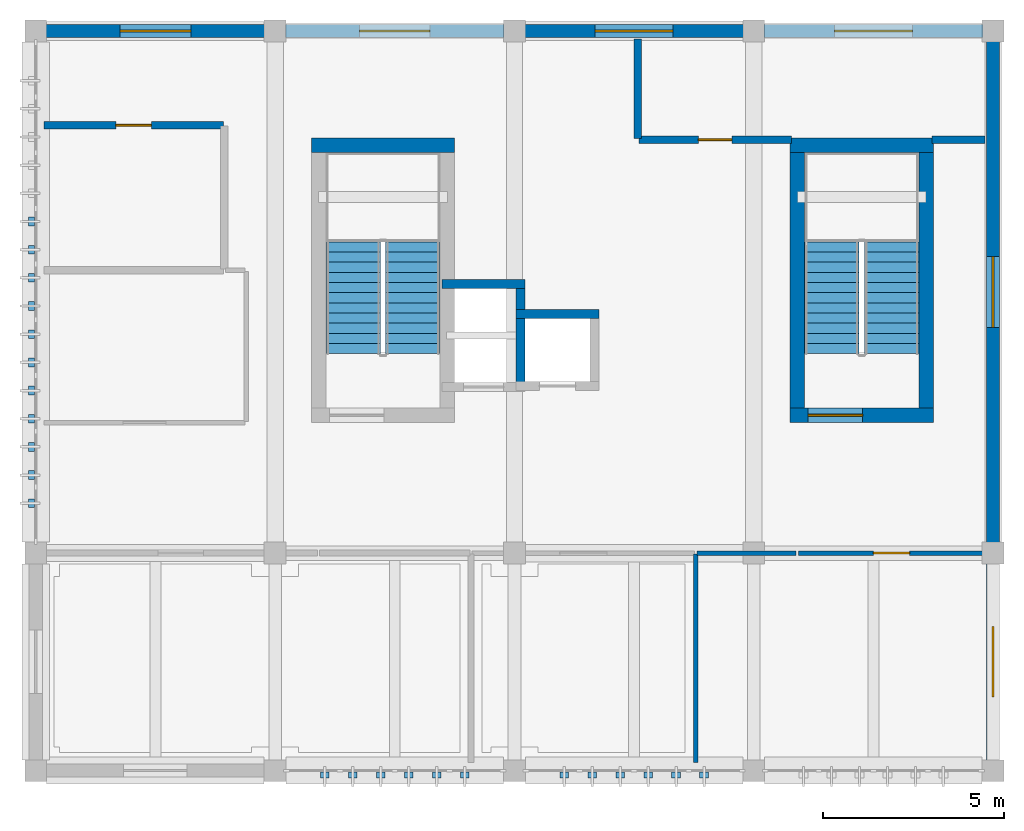
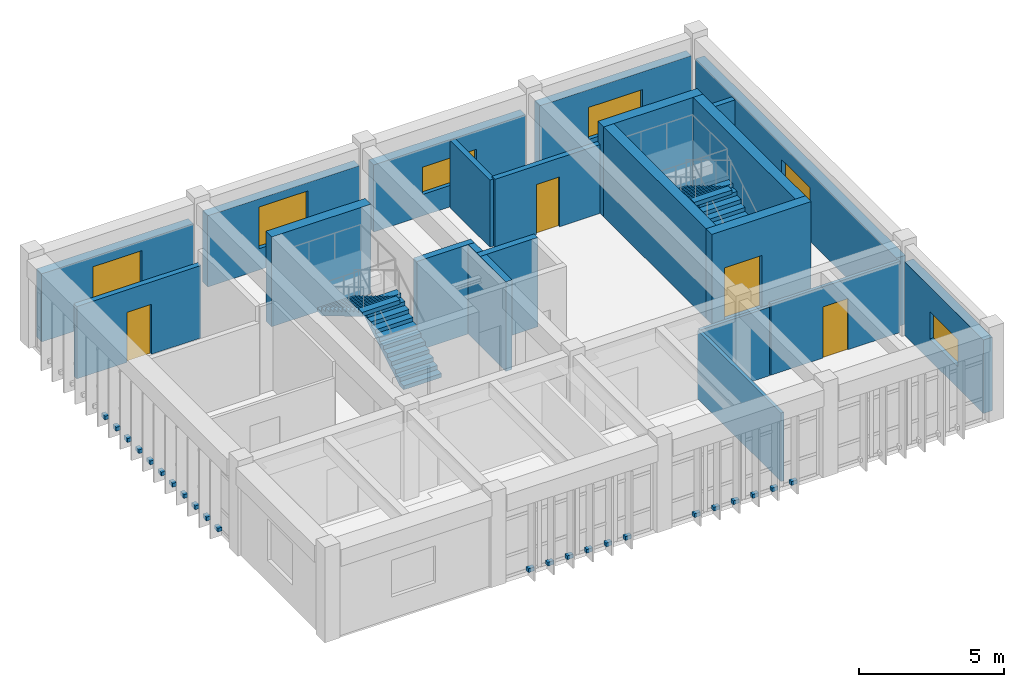
# One storey, part 5 of 7: 23 discrete accessories, 21 walls, 6 windows, 4 doors, 4 stair flights, 10 openings, 2 elements without a shape of their own.
"""IFC4 building model written with IfcOpenShell, lengths in metres."""

from ifc_helpers import new_model, si_unit, direction, frame, frame_2d, origin, origin_2d, place, context, subcontext, project, spatial, polyline, rectangle, outline, extrude, material, layer, layer_set, type_object, element, fill, aggregate, save


model = new_model("IFC4")

# Units and contexts
model_context = context("Model", 3, precision=1e-05, world=origin(), true_north=direction((0.0, 1.0)))
body_context = subcontext(model_context, "Body", "Model", "MODEL_VIEW")
ifc_project = project(units=[si_unit("LENGTHUNIT", "METRE"), si_unit("AREAUNIT", "SQUARE_METRE"), si_unit("VOLUMEUNIT", "CUBIC_METRE"), si_unit("PLANEANGLEUNIT", "RADIAN"), si_unit("MASSUNIT", "GRAM", prefix="KILO")], contexts=[model_context])

# Site, building, storey
site_placement = place(None, origin())
site = spatial("IfcSite", under=ifc_project, at=site_placement, CompositionType="ELEMENT")
building_placement = place(site_placement, origin())
building = spatial("IfcBuilding", under=site, at=building_placement, Name="Miralva Faculty of Natural Sciences", CompositionType="ELEMENT")
storey_placement = place(building_placement, frame((0.0, 0.0, 40.60009765625)))
storey = spatial("IfcBuildingStorey", under=building, at=storey_placement, Name="L09", CompositionType="ELEMENT", Elevation=40.60009765625)

# Wall
ifc_material_1 = material(Name="Concrete C50/60", Category="concrete")
ifc_layer_1 = layer(ifc_material_1, 0.39990234375, Name="WL-CW01")
ifc_layer_set_1 = layer_set([ifc_layer_1], Name="Concrete C50/60")
wall_type_1 = type_object("IfcWallType", Name="WL-CW01", PredefinedType="SHEAR", material=ifc_layer_set_1)
wall_1_placement = place(storey_placement, frame((10.60009765625, 20.25, 0.0), z_axis=(0.0, 0.0, 1.0), x_axis=(1.0, 0.0, 0.0)))
element("IfcWall", 1, at=wall_1_placement, inside=storey, type_object=wall_type_1, Name="Core C1 shear wall north L09", PredefinedType="SHEAR", context=body_context, shape_type="SweptSolid", body=[
    extrude(rectangle(XDim=3.949951171875, YDim=0.39990234375, at=frame_2d((1.97509765625, 0.0))), origin(), (0.0, 0.0, 1.0), 3.77978515625),
])

# Wall, opening, door
wall_2_placement = place(storey_placement, frame((23.800048828125, 12.800048828125, 0.0), z_axis=(0.0, 0.0, 1.0), x_axis=(1.0, 0.0, 0.0)))
wall_2 = element("IfcWall", 2, at=wall_2_placement, inside=storey, type_object=wall_type_1, Name="Core C1B shear wall south L09", PredefinedType="SHEAR", context=body_context, shape_type="SweptSolid", body=[
    extrude(rectangle(XDim=3.949951171875, YDim=0.39990234375, at=frame_2d((1.97509765625, 0.0))), origin(), (0.0, 0.0, 1.0), 3.77978515625),
])
opening_1_placement = place(wall_2_placement, frame((0.5, 0.0, 0.0)))
opening_1 = element("IfcOpeningElement", 3, at=opening_1_placement, cuts=wall_2, Name="Opening D-11", PredefinedType="OPENING", context=body_context, shape_type="SweptSolid", body=[
    extrude(rectangle(XDim=1.5, YDim=2.199951171875, at=frame_2d((0.75, 1.10009765625))), frame((0.0, 0.2099609375, 0.0), z_axis=(0.0, -1.0, 0.0), x_axis=(1.0, 0.0, 0.0)), (0.0, 0.0, 1.0), 0.419921875),
])
ifc_material_2 = material(Name="Galvanised steel", Category="steel")
door_type_1 = type_object("IfcDoorType", Name="DR-DI11", OperationType="DOUBLE_DOOR_SINGLE_SWING", PredefinedType="DOOR", material=ifc_material_2)
door_1_placement = place(opening_1_placement, frame((1.5, 0.0, 0.0), z_axis=(0.0, 0.0, 1.0), x_axis=(-1.0, 0.0, 0.0)))
door_1 = element("IfcDoor", 4, at=door_1_placement, inside=storey, type_object=door_type_1, Name="Protected exit stair door Core C1B L09", OperationType="DOUBLE_DOOR_SINGLE_SWING", OverallHeight=2.199951171875, OverallWidth=1.5, PredefinedType="DOOR", context=body_context, shape_type="SweptSolid", body=[
    extrude(rectangle(XDim=1.5, YDim=2.199951171875, at=frame_2d((0.75, 1.10009765625))), frame((0.0, 0.02490234375, 0.0), z_axis=(0.0, -1.0, 0.0), x_axis=(1.0, 0.0, 0.0)), (0.0, 0.0, 1.0), 0.050048828125),
])
fill(opening_1, door_1)

# Walls
wall_3_placement = place(storey_placement, frame((23.800048828125, 20.25, 0.0), z_axis=(0.0, 0.0, 1.0), x_axis=(1.0, 0.0, 0.0)))
element("IfcWall", 5, at=wall_3_placement, inside=storey, type_object=wall_type_1, Name="Core C1B shear wall north L09", PredefinedType="SHEAR", context=body_context, shape_type="SweptSolid", body=[
    extrude(rectangle(XDim=3.949951171875, YDim=0.39990234375, at=frame_2d((1.97509765625, 0.0))), origin(), (0.0, 0.0, 1.0), 3.77978515625),
])
for number, where, z_axis, x_axis, name in (
    (6, (24.0, 13.0, 0.0), (0.0, 0.0, 1.0), (0.0, 1.0, 0.0), "Core C1B shear wall west L09"),
    (7, (27.550048828125, 13.0, 0.0), (0.0, 0.0, 1.0), (0.0, 1.0, 0.0), "Core C1B shear wall east L09"),
):
    element("IfcWall", number, at=place(storey_placement, frame(where, z_axis=z_axis, x_axis=x_axis)), inside=storey, type_object=wall_type_1, Name=name, PredefinedType="SHEAR", context=body_context, shape_type="SweptSolid", body=[
        extrude(rectangle(XDim=7.050048828125, YDim=0.39990234375, at=frame_2d((3.52490234375, 0.0))), origin(), (0.0, 0.0, 1.0), 3.77978515625),
    ])
ifc_material_3 = material(Name="Concrete C40/50", Category="concrete")
ifc_layer_2 = layer(ifc_material_3, 0.25, Name="WL-CW04")
ifc_layer_set_2 = layer_set([ifc_layer_2], Name="Concrete C40/50")
wall_type_2 = type_object("IfcWallType", Name="WL-CW04", PredefinedType="SHEAR", material=ifc_layer_set_2)
wall_4_placement = place(storey_placement, frame((14.205078125, 16.419921875, 0.0), z_axis=(0.0, 0.0, 1.0), x_axis=(1.0, 0.0, 0.0)))
element("IfcWall", 8, at=wall_4_placement, inside=storey, type_object=wall_type_2, Name="Lift L-01 hoistway rear wall L09", PredefinedType="SHEAR", context=body_context, shape_type="SweptSolid", body=[
    extrude(rectangle(XDim=2.2900390625, YDim=0.25, at=frame_2d((1.14501953125, 0.0))), origin(), (0.0, 0.0, 1.0), 3.760009765625),
])
wall_5_placement = place(storey_placement, frame((16.3701171875, 13.705078125, 0.0), z_axis=(0.0, 0.0, 1.0), x_axis=(0.0, 1.0, 0.0)))
element("IfcWall", 9, at=wall_5_placement, inside=storey, type_object=wall_type_2, Name="Lift L-01 hoistway E wall L09", PredefinedType="SHEAR", context=body_context, shape_type="SweptSolid", body=[
    extrude(rectangle(XDim=2.58984375, YDim=0.25, at=frame_2d((1.294921875, 0.0))), origin(), (0.0, 0.0, 1.0), 3.760009765625),
])
wall_6_placement = place(storey_placement, frame((16.2451171875, 15.594970703125, 0.0), z_axis=(0.0, 0.0, 1.0), x_axis=(1.0, 0.0, 0.0)))
element("IfcWall", 10, at=wall_6_placement, inside=storey, type_object=wall_type_2, Name="Lift L-02 hoistway rear wall L09", PredefinedType="SHEAR", context=body_context, shape_type="SweptSolid", body=[
    extrude(rectangle(XDim=2.289794921875, YDim=0.25, at=frame_2d((1.14501953125, 0.0))), origin(), (0.0, 0.0, 1.0), 3.760009765625),
])
ifc_material_4 = material(Name="Gypsum plasterboard")
ifc_layer_3 = layer(ifc_material_4, 0.125, Name="WL-PT05")
ifc_layer_set_3 = layer_set([ifc_layer_3], Name="Gypsum plasterboard")
wall_type_3 = type_object("IfcWallType", Name="WL-PT05", PredefinedType="PARTITIONING", material=ifc_layer_set_3)
wall_7_placement = place(storey_placement, frame((21.199951171875, 3.22998046875, 0.0), z_axis=(0.0, 0.0, 1.0), x_axis=(0.0, 1.0, 0.0)))
element("IfcWall", 11, at=wall_7_placement, inside=storey, type_object=wall_type_3, Name="Interior partition PT-05 L09-545", PredefinedType="PARTITIONING", context=body_context, shape_type="SweptSolid", body=[
    extrude(rectangle(XDim=5.739990234375, YDim=0.125, at=frame_2d((2.8701171875, 0.0))), origin(), (0.0, 0.0, 1.0), 2.885009765625),
])

# Wall, opening, door
wall_8_placement = place(storey_placement, frame((24.030029296875, 9.0, 0.0), z_axis=(0.0, 0.0, 1.0), x_axis=(1.0, 0.0, 0.0)))
wall_8 = element("IfcWall", 12, at=wall_8_placement, inside=storey, type_object=wall_type_3, Name="Interior partition PT-05 L09-547", PredefinedType="PARTITIONING", context=body_context, shape_type="SweptSolid", body=[
    extrude(rectangle(XDim=5.139892578125, YDim=0.125, at=frame_2d((2.56982421875, 0.0))), origin(), (0.0, 0.0, 1.0), 2.994873046875),
])
opening_2_placement = place(wall_8_placement, frame((2.070068359375, 0.0, 0.0)))
opening_2 = element("IfcOpeningElement", 13, at=opening_2_placement, cuts=wall_8, Name="Opening D-25", PredefinedType="OPENING", context=body_context, shape_type="SweptSolid", body=[
    extrude(rectangle(XDim=1.0, YDim=2.14990234375, at=frame_2d((0.5, 1.074951171875))), frame((0.0, 0.072509765625, 0.0), z_axis=(0.0, -1.0, 0.0), x_axis=(1.0, 0.0, 0.0)), (0.0, 0.0, 1.0), 0.14501953125),
])
ifc_material_5 = material(Name="Anodised aluminium", Category="aluminium")
door_type_2 = type_object("IfcDoorType", Name="DR-DI25", OperationType="NOTDEFINED", PredefinedType="DOOR", material=ifc_material_5)
door_2_placement = place(opening_2_placement, origin())
door_2 = element("IfcDoor", 14, at=door_2_placement, inside=storey, type_object=door_type_2, Name="Interior door D-25 L09-206", OperationType="SINGLE_SWING_RIGHT", OverallHeight=2.14990234375, OverallWidth=1.0, PredefinedType="DOOR", context=body_context, shape_type="SweptSolid", body=[
    extrude(rectangle(XDim=1.0, YDim=2.14990234375, at=frame_2d((0.5, 1.074951171875))), frame((0.0, 0.02490234375, 0.0), z_axis=(0.0, -1.0, 0.0), x_axis=(1.0, 0.0, 0.0)), (0.0, 0.0, 1.0), 0.050048828125),
])
fill(opening_2, door_2)

# Wall
wall_9_placement = place(storey_placement, frame((21.22998046875, 9.0, 0.0), z_axis=(0.0, 0.0, 1.0), x_axis=(1.0, 0.0, 0.0)))
element("IfcWall", 15, at=wall_9_placement, inside=storey, type_object=wall_type_3, Name="Interior partition PT-05 L09-548", PredefinedType="PARTITIONING", context=body_context, shape_type="SweptSolid", body=[
    extrude(rectangle(XDim=2.739990234375, YDim=0.125, at=frame_2d((1.3701171875, 0.0))), origin(), (0.0, 0.0, 1.0), 2.885009765625),
])

# Wall, opening, door
ifc_layer_4 = layer(ifc_material_4, 0.2099609375, Name="WL-PT06")
ifc_layer_set_4 = layer_set([ifc_layer_4], Name="Gypsum plasterboard")
wall_type_4 = type_object("IfcWallType", Name="WL-PT06", PredefinedType="PLUMBINGWALL", material=ifc_layer_set_4)
wall_10_placement = place(storey_placement, frame((3.22998046875, 20.800048828125, 0.0), z_axis=(0.0, 0.0, 1.0), x_axis=(1.0, 0.0, 0.0)))
wall_10 = element("IfcWall", 16, at=wall_10_placement, inside=storey, type_object=wall_type_4, Name="Interior partition PT-06 L09-553", PredefinedType="PLUMBINGWALL", context=body_context, shape_type="SweptSolid", body=[
    extrude(rectangle(XDim=4.93994140625, YDim=0.2099609375, at=frame_2d((2.469970703125, 0.0))), origin(), (0.0, 0.0, 1.0), 3.044921875),
])
opening_3_placement = place(wall_10_placement, frame((1.97998046875, 0.0, 0.0)))
opening_3 = element("IfcOpeningElement", 17, at=opening_3_placement, cuts=wall_10, Name="Opening D-26", PredefinedType="OPENING", context=body_context, shape_type="SweptSolid", body=[
    extrude(rectangle(XDim=0.97998046875, YDim=2.10009765625, at=frame_2d((0.489990234375, 1.050048828125))), frame((0.0, 0.114990234375, 0.0), z_axis=(0.0, -1.0, 0.0), x_axis=(1.0, 0.0, 0.0)), (0.0, 0.0, 1.0), 0.22998046875),
])
door_type_3 = type_object("IfcDoorType", Name="DR-DI26", OperationType="NOTDEFINED", PredefinedType="DOOR", material=ifc_material_5)
door_3_placement = place(opening_3_placement, origin())
door_3 = element("IfcDoor", 18, at=door_3_placement, inside=storey, type_object=door_type_3, Name="Interior door D-26 L09-209", OperationType="SINGLE_SWING_LEFT", OverallHeight=2.10009765625, OverallWidth=0.97998046875, PredefinedType="DOOR", context=body_context, shape_type="SweptSolid", body=[
    extrude(rectangle(XDim=0.97998046875, YDim=2.10009765625, at=frame_2d((0.489990234375, 1.050048828125))), frame((0.0, 0.02490234375, 0.0), z_axis=(0.0, -1.0, 0.0), x_axis=(1.0, 0.0, 0.0)), (0.0, 0.0, 1.0), 0.050048828125),
])
fill(opening_3, door_3)

# Walls
wall_11_placement = place(storey_placement, frame((27.7119140625, 20.39990234375, 0.0), z_axis=(0.0, 0.0, 1.0), x_axis=(1.0, 0.0, 0.0)))
element("IfcWall", 19, at=wall_11_placement, inside=storey, type_object=wall_type_4, Name="Interior partition PT-06 L09-555", PredefinedType="PLUMBINGWALL", context=body_context, shape_type="SweptSolid", body=[
    extrude(rectangle(XDim=1.4580078125, YDim=0.2099609375, at=frame_2d((0.72900390625, 0.0))), origin(), (0.0, 0.0, 1.0), 2.89501953125),
])
wall_12_placement = place(storey_placement, frame((19.60009765625, 20.429931640625, 0.0), z_axis=(0.0, 0.0, 1.0), x_axis=(0.0, 1.0, 0.0)))
element("IfcWall", 20, at=wall_12_placement, inside=storey, type_object=wall_type_4, Name="Interior partition PT-06 L09-556", PredefinedType="PLUMBINGWALL", context=body_context, shape_type="SweptSolid", body=[
    extrude(rectangle(XDim=2.739990234375, YDim=0.2099609375, at=frame_2d((1.3701171875, 0.0))), origin(), (0.0, 0.0, 1.0), 2.824951171875),
])

# Wall, opening, door
wall_13_placement = place(storey_placement, frame((19.6298828125, 20.39990234375, 0.0), z_axis=(0.0, 0.0, 1.0), x_axis=(1.0, 0.0, 0.0)))
wall_13 = element("IfcWall", 21, at=wall_13_placement, inside=storey, type_object=wall_type_4, Name="Interior partition PT-06 L09-557", PredefinedType="PLUMBINGWALL", context=body_context, shape_type="SweptSolid", body=[
    extrude(rectangle(XDim=4.2080078125, YDim=0.2099609375, at=frame_2d((2.10400390625, 0.0))), origin(), (0.0, 0.0, 1.0), 2.89501953125),
])
opening_4_placement = place(wall_13_placement, frame((1.64404296875, 0.0, 0.0)))
opening_4 = element("IfcOpeningElement", 22, at=opening_4_placement, cuts=wall_13, Name="Opening D-27", PredefinedType="OPENING", context=body_context, shape_type="SweptSolid", body=[
    extrude(rectangle(XDim=0.919921875, YDim=2.10009765625, at=frame_2d((0.4599609375, 1.050048828125))), frame((0.0, 0.114990234375, 0.0), z_axis=(0.0, -1.0, 0.0), x_axis=(1.0, 0.0, 0.0)), (0.0, 0.0, 1.0), 0.22998046875),
])
door_type_4 = type_object("IfcDoorType", Name="DR-DI27", OperationType="NOTDEFINED", PredefinedType="DOOR", material=ifc_material_5)
door_4_placement = place(opening_4_placement, origin())
door_4 = element("IfcDoor", 23, at=door_4_placement, inside=storey, type_object=door_type_4, Name="Interior door D-27 L09-208", OperationType="SINGLE_SWING_RIGHT", OverallHeight=2.10009765625, OverallWidth=0.919921875, PredefinedType="DOOR", context=body_context, shape_type="SweptSolid", body=[
    extrude(rectangle(XDim=0.919921875, YDim=2.10009765625, at=frame_2d((0.4599609375, 1.050048828125))), frame((0.0, 0.02490234375, 0.0), z_axis=(0.0, -1.0, 0.0), x_axis=(1.0, 0.0, 0.0)), (0.0, 0.0, 1.0), 0.050048828125),
])
fill(opening_4, door_4)

# Wall, opening, window
ifc_material_6 = material(Name="Volcanic tuff architectural stone", Category="masonry")
ifc_layer_5 = layer(ifc_material_6, 0.360107421875, Name="WL-WT01")
ifc_layer_set_5 = layer_set([ifc_layer_5], Name="Volcanic tuff architectural stone")
wall_type_5 = type_object("IfcWallType", Name="WL-WT01", PredefinedType="SOLIDWALL", material=ifc_layer_set_5)
wall_14_placement = place(storey_placement, frame((29.39990234375, 3.284912109375, 0.0), z_axis=(0.0, 0.0, 1.0), x_axis=(0.0, 1.0, 0.0)))
wall_14 = element("IfcWall", 24, at=wall_14_placement, inside=storey, type_object=wall_type_5, Name="Exterior wall L09-136", PredefinedType="SOLIDWALL", context=body_context, shape_type="SweptSolid", body=[
    extrude(rectangle(XDim=5.43017578125, YDim=0.360107421875, at=frame_2d((2.715087890625, 0.0))), origin(), (0.0, 0.0, 1.0), 3.094970703125),
])
opening_5_placement = place(wall_14_placement, frame((1.739990234375, 0.0, 0.89990234375)))
opening_5 = element("IfcOpeningElement", 25, at=opening_5_placement, cuts=wall_14, Name="Opening W-65", PredefinedType="OPENING", context=body_context, shape_type="SweptSolid", body=[
    extrude(rectangle(XDim=1.949951171875, YDim=1.14990234375, at=frame_2d((0.97509765625, 0.574951171875))), frame((0.0, 0.18994140625, 0.0), z_axis=(0.0, -1.0, 0.0), x_axis=(1.0, 0.0, 0.0)), (0.0, 0.0, 1.0), 0.380126953125),
])
ifc_material_7 = material(Name="Laminated solar-control glass", Category="glass")
window_type_1 = type_object("IfcWindowType", Name="WN-W65", PartitioningType="DOUBLE_PANEL_VERTICAL", PredefinedType="WINDOW", material=ifc_material_7)
window_1_placement = place(opening_5_placement, frame((1.949951171875, 0.0, 0.0), z_axis=(0.0, 0.0, 1.0), x_axis=(-1.0, 0.0, 0.0)))
window_1 = element("IfcWindow", 26, at=window_1_placement, inside=storey, type_object=window_type_1, Name="Window W-65 L09-79", OverallHeight=1.14990234375, OverallWidth=1.949951171875, PartitioningType="DOUBLE_PANEL_VERTICAL", PredefinedType="WINDOW", context=body_context, shape_type="SweptSolid", body=[
    extrude(rectangle(XDim=1.949951171875, YDim=1.14990234375, at=frame_2d((0.97509765625, 0.574951171875))), frame((0.0, 0.030029296875, 0.0), z_axis=(0.0, -1.0, 0.0), x_axis=(1.0, 0.0, 0.0)), (0.0, 0.0, 1.0), 0.06005859375),
])
fill(opening_5, window_1)

wall_15_placement = place(storey_placement, frame((29.39990234375, 9.284912109375, 0.0), z_axis=(0.0, 0.0, 1.0), x_axis=(0.0, 1.0, 0.0)))
wall_15 = element("IfcWall", 27, at=wall_15_placement, inside=storey, type_object=wall_type_5, Name="Exterior wall L09-137", PredefinedType="SOLIDWALL", context=body_context, shape_type="SweptSolid", body=[
    extrude(rectangle(XDim=13.830078125, YDim=0.360107421875, at=frame_2d((6.9150390625, 0.0))), origin(), (0.0, 0.0, 1.0), 2.89501953125),
])
opening_6_placement = place(wall_15_placement, frame((5.93994140625, 0.0, 0.89990234375)))
opening_6 = element("IfcOpeningElement", 28, at=opening_6_placement, cuts=wall_15, Name="Opening W-66", PredefinedType="OPENING", context=body_context, shape_type="SweptSolid", body=[
    extrude(rectangle(XDim=1.949951171875, YDim=1.35009765625, at=frame_2d((0.97509765625, 0.675048828125))), frame((0.0, 0.18994140625, 0.0), z_axis=(0.0, -1.0, 0.0), x_axis=(1.0, 0.0, 0.0)), (0.0, 0.0, 1.0), 0.380126953125),
])
window_type_2 = type_object("IfcWindowType", Name="WN-W66", PartitioningType="DOUBLE_PANEL_VERTICAL", PredefinedType="WINDOW", material=ifc_material_7)
window_2_placement = place(opening_6_placement, frame((1.949951171875, 0.0, 0.0), z_axis=(0.0, 0.0, 1.0), x_axis=(-1.0, 0.0, 0.0)))
window_2 = element("IfcWindow", 29, at=window_2_placement, inside=storey, type_object=window_type_2, Name="Window W-66 L09-80", OverallHeight=1.35009765625, OverallWidth=1.949951171875, PartitioningType="DOUBLE_PANEL_VERTICAL", PredefinedType="WINDOW", context=body_context, shape_type="SweptSolid", body=[
    extrude(rectangle(XDim=1.949951171875, YDim=1.35009765625, at=frame_2d((0.97509765625, 0.675048828125))), frame((0.0, 0.030029296875, 0.0), z_axis=(0.0, -1.0, 0.0), x_axis=(1.0, 0.0, 0.0)), (0.0, 0.0, 1.0), 0.06005859375),
])
fill(opening_6, window_2)

wall_16_placement = place(storey_placement, frame((3.284912109375, 23.39990234375, 0.0), z_axis=(0.0, 0.0, 1.0), x_axis=(1.0, 0.0, 0.0)))
wall_16 = element("IfcWall", 30, at=wall_16_placement, inside=storey, type_object=wall_type_5, Name="Exterior wall L09-138", PredefinedType="SOLIDWALL", context=body_context, shape_type="SweptSolid", body=[
    extrude(rectangle(XDim=6.030029296875, YDim=0.360107421875, at=frame_2d((3.01513671875, 0.0))), origin(), (0.0, 0.0, 1.0), 2.864990234375),
])
opening_7_placement = place(wall_16_placement, frame((2.0400390625, 0.0, 0.89990234375)))
opening_7 = element("IfcOpeningElement", 31, at=opening_7_placement, cuts=wall_16, Name="Opening W-67", PredefinedType="OPENING", context=body_context, shape_type="SweptSolid", body=[
    extrude(rectangle(XDim=1.949951171875, YDim=1.550048828125, at=frame_2d((0.97509765625, 0.77490234375))), frame((0.0, 0.18994140625, 0.0), z_axis=(0.0, -1.0, 0.0), x_axis=(1.0, 0.0, 0.0)), (0.0, 0.0, 1.0), 0.380126953125),
])
window_type_3 = type_object("IfcWindowType", Name="WN-W67", PartitioningType="DOUBLE_PANEL_VERTICAL", PredefinedType="WINDOW", material=ifc_material_7)
window_3_placement = place(opening_7_placement, origin())
window_3 = element("IfcWindow", 32, at=window_3_placement, inside=storey, type_object=window_type_3, Name="Window W-67 L09-81", OverallHeight=1.550048828125, OverallWidth=1.949951171875, PartitioningType="DOUBLE_PANEL_VERTICAL", PredefinedType="WINDOW", context=body_context, shape_type="SweptSolid", body=[
    extrude(rectangle(XDim=1.949951171875, YDim=1.550048828125, at=frame_2d((0.97509765625, 0.77490234375))), frame((0.0, 0.030029296875, 0.0), z_axis=(0.0, -1.0, 0.0), x_axis=(1.0, 0.0, 0.0)), (0.0, 0.0, 1.0), 0.06005859375),
])
fill(opening_7, window_3)

wall_17_placement = place(storey_placement, frame((9.885009765625, 23.39990234375, 0.0), z_axis=(0.0, 0.0, 1.0), x_axis=(1.0, 0.0, 0.0)))
wall_17 = element("IfcWall", 33, at=wall_17_placement, inside=storey, type_object=wall_type_5, Name="Exterior wall L09-139", PredefinedType="SOLIDWALL", context=body_context, shape_type="SweptSolid", body=[
    extrude(rectangle(XDim=6.030029296875, YDim=0.360107421875, at=frame_2d((3.01513671875, 0.0))), origin(), (0.0, 0.0, 1.0), 2.994873046875),
])
opening_8_placement = place(wall_17_placement, frame((2.0400390625, 0.0, 0.89990234375)))
opening_8 = element("IfcOpeningElement", 34, at=opening_8_placement, cuts=wall_17, Name="Opening W-68", PredefinedType="OPENING", context=body_context, shape_type="SweptSolid", body=[
    extrude(rectangle(XDim=1.949951171875, YDim=1.75, at=frame_2d((0.97509765625, 0.875))), frame((0.0, 0.18994140625, 0.0), z_axis=(0.0, -1.0, 0.0), x_axis=(1.0, 0.0, 0.0)), (0.0, 0.0, 1.0), 0.380126953125),
])
window_type_4 = type_object("IfcWindowType", Name="WN-W68", PartitioningType="DOUBLE_PANEL_VERTICAL", PredefinedType="WINDOW", material=ifc_material_7)
window_4_placement = place(opening_8_placement, origin())
window_4 = element("IfcWindow", 35, at=window_4_placement, inside=storey, type_object=window_type_4, Name="Window W-68 L09-82", OverallHeight=1.75, OverallWidth=1.949951171875, PartitioningType="DOUBLE_PANEL_VERTICAL", PredefinedType="WINDOW", context=body_context, shape_type="SweptSolid", body=[
    extrude(rectangle(XDim=1.949951171875, YDim=1.75, at=frame_2d((0.97509765625, 0.875))), frame((0.0, 0.030029296875, 0.0), z_axis=(0.0, -1.0, 0.0), x_axis=(1.0, 0.0, 0.0)), (0.0, 0.0, 1.0), 0.06005859375),
])
fill(opening_8, window_4)

wall_18_placement = place(storey_placement, frame((16.485107421875, 23.39990234375, 0.0), z_axis=(0.0, 0.0, 1.0), x_axis=(1.0, 0.0, 0.0)))
wall_18 = element("IfcWall", 36, at=wall_18_placement, inside=storey, type_object=wall_type_5, Name="Exterior wall L09-140", PredefinedType="SOLIDWALL", context=body_context, shape_type="SweptSolid", body=[
    extrude(rectangle(XDim=6.02978515625, YDim=0.360107421875, at=frame_2d((3.014892578125, 0.0))), origin(), (0.0, 0.0, 1.0), 2.824951171875),
])
opening_9_placement = place(wall_18_placement, frame((1.93994140625, 0.0, 0.89990234375)))
opening_9 = element("IfcOpeningElement", 37, at=opening_9_placement, cuts=wall_18, Name="Opening W-69", PredefinedType="OPENING", context=body_context, shape_type="SweptSolid", body=[
    extrude(rectangle(XDim=2.14990234375, YDim=1.14990234375, at=frame_2d((1.074951171875, 0.574951171875))), frame((0.0, 0.18994140625, 0.0), z_axis=(0.0, -1.0, 0.0), x_axis=(1.0, 0.0, 0.0)), (0.0, 0.0, 1.0), 0.380126953125),
])
window_type_5 = type_object("IfcWindowType", Name="WN-W69", PartitioningType="DOUBLE_PANEL_VERTICAL", PredefinedType="WINDOW", material=ifc_material_7)
window_5_placement = place(opening_9_placement, origin())
window_5 = element("IfcWindow", 38, at=window_5_placement, inside=storey, type_object=window_type_5, Name="Window W-69 L09-83", OverallHeight=1.14990234375, OverallWidth=2.14990234375, PartitioningType="DOUBLE_PANEL_VERTICAL", PredefinedType="WINDOW", context=body_context, shape_type="SweptSolid", body=[
    extrude(rectangle(XDim=2.14990234375, YDim=1.14990234375, at=frame_2d((1.074951171875, 0.574951171875))), frame((0.0, 0.030029296875, 0.0), z_axis=(0.0, -1.0, 0.0), x_axis=(1.0, 0.0, 0.0)), (0.0, 0.0, 1.0), 0.06005859375),
])
fill(opening_9, window_5)

wall_19_placement = place(storey_placement, frame((23.0849609375, 23.39990234375, 0.0), z_axis=(0.0, 0.0, 1.0), x_axis=(1.0, 0.0, 0.0)))
wall_19 = element("IfcWall", 39, at=wall_19_placement, inside=storey, type_object=wall_type_5, Name="Exterior wall L09-141", PredefinedType="SOLIDWALL", context=body_context, shape_type="SweptSolid", body=[
    extrude(rectangle(XDim=6.030029296875, YDim=0.360107421875, at=frame_2d((3.01513671875, 0.0))), origin(), (0.0, 0.0, 1.0), 2.994873046875),
])
opening_10_placement = place(wall_19_placement, frame((1.93994140625, 0.0, 0.89990234375)))
opening_10 = element("IfcOpeningElement", 40, at=opening_10_placement, cuts=wall_19, Name="Opening W-70", PredefinedType="OPENING", context=body_context, shape_type="SweptSolid", body=[
    extrude(rectangle(XDim=2.14990234375, YDim=1.35009765625, at=frame_2d((1.074951171875, 0.675048828125))), frame((0.0, 0.18994140625, 0.0), z_axis=(0.0, -1.0, 0.0), x_axis=(1.0, 0.0, 0.0)), (0.0, 0.0, 1.0), 0.380126953125),
])
window_type_6 = type_object("IfcWindowType", Name="WN-W70", PartitioningType="DOUBLE_PANEL_VERTICAL", PredefinedType="WINDOW", material=ifc_material_7)
window_6_placement = place(opening_10_placement, origin())
window_6 = element("IfcWindow", 41, at=window_6_placement, inside=storey, type_object=window_type_6, Name="Window W-70 L09-84", OverallHeight=1.35009765625, OverallWidth=2.14990234375, PartitioningType="DOUBLE_PANEL_VERTICAL", PredefinedType="WINDOW", context=body_context, shape_type="SweptSolid", body=[
    extrude(rectangle(XDim=2.14990234375, YDim=1.35009765625, at=frame_2d((1.074951171875, 0.675048828125))), frame((0.0, 0.030029296875, 0.0), z_axis=(0.0, -1.0, 0.0), x_axis=(1.0, 0.0, 0.0)), (0.0, 0.0, 1.0), 0.06005859375),
])
fill(opening_10, window_6)

# Stair, stair flights
stair_type = type_object("IfcStairType", Name="ST-CORE-450", PredefinedType="HALF_TURN_STAIR", material=ifc_material_3)
stair_1_placement = place(storey_placement, origin())
stair_1 = element("IfcStair", 42, at=stair_1_placement, inside=storey, type_object=stair_type, Name="Exit Stair Core C1 (ST-03) L09", PredefinedType="HALF_TURN_STAIR")
ifc_layer_6 = layer(ifc_material_3, 0.159912109375, Name="SFL-160-166")
ifc_layer_set_6 = layer_set([ifc_layer_6], Name="Concrete C40/50")
stair_flight_type = type_object("IfcStairFlightType", Name="SFL-160-166", PredefinedType="STRAIGHT", material=ifc_layer_set_6)
stair_flight_1_placement = place(storey_placement, frame((13.39990234375, 14.5, 0.0), z_axis=(0.0, 0.0, 1.0), x_axis=(0.0, 1.0, 0.0)))
stair_flight_1 = element("IfcStairFlight", 43, at=stair_flight_1_placement, type_object=stair_flight_type, Name="ST-03 flight 1", NumberOfRisers=12, NumberOfTreads=11, PredefinedType="STRAIGHT", RiserHeight=0.166666667, TreadLength=0.28, context=body_context, shape_type="SweptSolid", body=[
    extrude(outline(polyline([(0.0, 0.0), (0.0, 0.166748046875), (0.280029296875, 0.166748046875), (0.280029296875, 0.333251953125), (0.56005859375, 0.333251953125), (0.56005859375, 0.5), (0.840087890625, 0.5), (0.840087890625, 0.666748046875), (1.1201171875, 0.666748046875), (1.1201171875, 0.833251953125), (1.39990234375, 0.833251953125), (1.39990234375, 1.0), (1.679931640625, 1.0), (1.679931640625, 1.166748046875), (1.9599609375, 1.166748046875), (1.9599609375, 1.333251953125), (2.239990234375, 1.333251953125), (2.239990234375, 1.5), (2.52001953125, 1.5), (2.52001953125, 1.666748046875), (2.800048828125, 1.666748046875), (2.800048828125, 1.833251953125), (3.080078125, 1.833251953125), (3.080078125, 2.0), (3.080078125, 1.658935546875), (0.29296875, 0.0), (0.0, 0.0)])), frame((0.0, 0.75, 0.0), z_axis=(0.0, -1.0, 0.0), x_axis=(1.0, 0.0, 0.0)), (0.0, 0.0, 1.0), 1.5),
])
stair_flight_2_placement = place(storey_placement, frame((11.75, 17.580078125, 2.0), z_axis=(0.0, 0.0, 1.0), x_axis=(0.0, -1.0, 0.0)))
stair_flight_2 = element("IfcStairFlight", 44, at=stair_flight_2_placement, type_object=stair_flight_type, Name="ST-03 flight 2", NumberOfRisers=12, NumberOfTreads=11, PredefinedType="STRAIGHT", RiserHeight=0.166666667, TreadLength=0.28, context=body_context, shape_type="SweptSolid", body=[
    extrude(outline(polyline([(0.0, 0.0), (0.0, 0.166748046875), (0.280029296875, 0.166748046875), (0.280029296875, 0.333251953125), (0.56005859375, 0.333251953125), (0.56005859375, 0.5), (0.840087890625, 0.5), (0.840087890625, 0.666748046875), (1.1201171875, 0.666748046875), (1.1201171875, 0.833251953125), (1.39990234375, 0.833251953125), (1.39990234375, 1.0), (1.679931640625, 1.0), (1.679931640625, 1.166748046875), (1.9599609375, 1.166748046875), (1.9599609375, 1.333251953125), (2.239990234375, 1.333251953125), (2.239990234375, 1.5), (2.52001953125, 1.5), (2.52001953125, 1.666748046875), (2.800048828125, 1.666748046875), (2.800048828125, 1.833251953125), (3.080078125, 1.833251953125), (3.080078125, 2.0), (3.080078125, 1.658935546875), (0.29296875, 0.0), (0.0, 0.0)])), frame((0.0, 0.75, 0.0), z_axis=(0.0, -1.0, 0.0), x_axis=(1.0, 0.0, 0.0)), (0.0, 0.0, 1.0), 1.5),
])
aggregate(stair_1, [stair_flight_1, stair_flight_2])

stair_2_placement = place(storey_placement, origin())
stair_2 = element("IfcStair", 45, at=stair_2_placement, inside=storey, type_object=stair_type, Name="Exit Stair Core C1B (ST-03) L09", PredefinedType="HALF_TURN_STAIR")
stair_flight_3_placement = place(storey_placement, frame((26.60009765625, 14.5, 0.0), z_axis=(0.0, 0.0, 1.0), x_axis=(0.0, 1.0, 0.0)))
stair_flight_3 = element("IfcStairFlight", 46, at=stair_flight_3_placement, type_object=stair_flight_type, Name="ST-03 flight 1", NumberOfRisers=12, NumberOfTreads=11, PredefinedType="STRAIGHT", RiserHeight=0.166666667, TreadLength=0.28, context=body_context, shape_type="SweptSolid", body=[
    extrude(outline(polyline([(0.0, 0.0), (0.0, 0.166748046875), (0.280029296875, 0.166748046875), (0.280029296875, 0.333251953125), (0.56005859375, 0.333251953125), (0.56005859375, 0.5), (0.840087890625, 0.5), (0.840087890625, 0.666748046875), (1.1201171875, 0.666748046875), (1.1201171875, 0.833251953125), (1.39990234375, 0.833251953125), (1.39990234375, 1.0), (1.679931640625, 1.0), (1.679931640625, 1.166748046875), (1.9599609375, 1.166748046875), (1.9599609375, 1.333251953125), (2.239990234375, 1.333251953125), (2.239990234375, 1.5), (2.52001953125, 1.5), (2.52001953125, 1.666748046875), (2.800048828125, 1.666748046875), (2.800048828125, 1.833251953125), (3.080078125, 1.833251953125), (3.080078125, 2.0), (3.080078125, 1.658935546875), (0.29296875, 0.0), (0.0, 0.0)])), frame((0.0, 0.75, 0.0), z_axis=(0.0, -1.0, 0.0), x_axis=(1.0, 0.0, 0.0)), (0.0, 0.0, 1.0), 1.5),
])
stair_flight_4_placement = place(storey_placement, frame((24.949951171875, 17.580078125, 2.0), z_axis=(0.0, 0.0, 1.0), x_axis=(0.0, -1.0, 0.0)))
stair_flight_4 = element("IfcStairFlight", 47, at=stair_flight_4_placement, type_object=stair_flight_type, Name="ST-03 flight 2", NumberOfRisers=12, NumberOfTreads=11, PredefinedType="STRAIGHT", RiserHeight=0.166666667, TreadLength=0.28, context=body_context, shape_type="SweptSolid", body=[
    extrude(outline(polyline([(0.0, 0.0), (0.0, 0.166748046875), (0.280029296875, 0.166748046875), (0.280029296875, 0.333251953125), (0.56005859375, 0.333251953125), (0.56005859375, 0.5), (0.840087890625, 0.5), (0.840087890625, 0.666748046875), (1.1201171875, 0.666748046875), (1.1201171875, 0.833251953125), (1.39990234375, 0.833251953125), (1.39990234375, 1.0), (1.679931640625, 1.0), (1.679931640625, 1.166748046875), (1.9599609375, 1.166748046875), (1.9599609375, 1.333251953125), (2.239990234375, 1.333251953125), (2.239990234375, 1.5), (2.52001953125, 1.5), (2.52001953125, 1.666748046875), (2.800048828125, 1.666748046875), (2.800048828125, 1.833251953125), (3.080078125, 1.833251953125), (3.080078125, 2.0), (3.080078125, 1.658935546875), (0.29296875, 0.0), (0.0, 0.0)])), frame((0.0, 0.75, 0.0), z_axis=(0.0, -1.0, 0.0), x_axis=(1.0, 0.0, 0.0)), (0.0, 0.0, 1.0), 1.5),
])
aggregate(stair_2, [stair_flight_3, stair_flight_4])

# Discrete accessories
ifc_material_8 = material(Name="Steel S355", Category="steel")
discrete_accessory_type = type_object("IfcDiscreteAccessoryType", Name="ACC-BRK01", PredefinedType="BRACKET", material=ifc_material_8)
for number, where, z_axis, x_axis, name in (
    (48, (10.970703125, 2.8798828125, 0.0400390625), (0.0, 0.0, 1.0), (0.0, -1.0, 0.0), "Solar fin bracket L09-468"),
    (49, (11.742431640625, 2.8798828125, 0.0400390625), (0.0, 0.0, 1.0), (0.0, -1.0, 0.0), "Solar fin bracket L09-469"),
    (50, (12.51416015625, 2.8798828125, 0.0400390625), (0.0, 0.0, 1.0), (0.0, -1.0, 0.0), "Solar fin bracket L09-470"),
    (51, (13.285888671875, 2.8798828125, 0.0400390625), (0.0, 0.0, 1.0), (0.0, -1.0, 0.0), "Solar fin bracket L09-471"),
    (52, (14.0576171875, 2.8798828125, 0.0400390625), (0.0, 0.0, 1.0), (0.0, -1.0, 0.0), "Solar fin bracket L09-472"),
    (53, (14.8291015625, 2.8798828125, 0.0400390625), (0.0, 0.0, 1.0), (0.0, -1.0, 0.0), "Solar fin bracket L09-473"),
    (54, (17.57080078125, 2.8798828125, 0.0400390625), (0.0, 0.0, 1.0), (0.0, -1.0, 0.0), "Solar fin bracket L09-474"),
    (55, (18.342529296875, 2.8798828125, 0.0400390625), (0.0, 0.0, 1.0), (0.0, -1.0, 0.0), "Solar fin bracket L09-475"),
    (56, (19.1142578125, 2.8798828125, 0.0400390625), (0.0, 0.0, 1.0), (0.0, -1.0, 0.0), "Solar fin bracket L09-476"),
    (57, (19.8857421875, 2.8798828125, 0.0400390625), (0.0, 0.0, 1.0), (0.0, -1.0, 0.0), "Solar fin bracket L09-477"),
    (58, (20.657470703125, 2.8798828125, 0.0400390625), (0.0, 0.0, 1.0), (0.0, -1.0, 0.0), "Solar fin bracket L09-478"),
    (59, (21.42919921875, 2.8798828125, 0.0400390625), (0.0, 0.0, 1.0), (0.0, -1.0, 0.0), "Solar fin bracket L09-479"),
    (60, (2.8798828125, 10.373291015625, 0.0400390625), (0.0, 0.0, 1.0), (-1.0, 0.0, 0.0), "Solar fin bracket L09-486"),
    (61, (2.8798828125, 11.150390625, 0.0400390625), (0.0, 0.0, 1.0), (-1.0, 0.0, 0.0), "Solar fin bracket L09-487"),
    (62, (2.8798828125, 11.92724609375, 0.0400390625), (0.0, 0.0, 1.0), (-1.0, 0.0, 0.0), "Solar fin bracket L09-488"),
    (63, (2.8798828125, 12.7041015625, 0.0400390625), (0.0, 0.0, 1.0), (-1.0, 0.0, 0.0), "Solar fin bracket L09-489"),
    (64, (2.8798828125, 13.48095703125, 0.0400390625), (0.0, 0.0, 1.0), (-1.0, 0.0, 0.0), "Solar fin bracket L09-490"),
    (65, (2.8798828125, 14.2578125, 0.0400390625), (0.0, 0.0, 1.0), (-1.0, 0.0, 0.0), "Solar fin bracket L09-491"),
    (66, (2.8798828125, 15.03466796875, 0.0400390625), (0.0, 0.0, 1.0), (-1.0, 0.0, 0.0), "Solar fin bracket L09-492"),
    (67, (2.8798828125, 15.8115234375, 0.0400390625), (0.0, 0.0, 1.0), (-1.0, 0.0, 0.0), "Solar fin bracket L09-493"),
    (68, (2.8798828125, 16.58837890625, 0.0400390625), (0.0, 0.0, 1.0), (-1.0, 0.0, 0.0), "Solar fin bracket L09-494"),
    (69, (2.8798828125, 17.365234375, 0.0400390625), (0.0, 0.0, 1.0), (-1.0, 0.0, 0.0), "Solar fin bracket L09-495"),
    (70, (2.8798828125, 18.14208984375, 0.0400390625), (0.0, 0.0, 1.0), (-1.0, 0.0, 0.0), "Solar fin bracket L09-496"),
):
    element("IfcDiscreteAccessory", number, at=place(storey_placement, frame(where, z_axis=z_axis, x_axis=x_axis)), inside=storey, type_object=discrete_accessory_type, Name=name, PredefinedType="BRACKET", context=body_context, shape_type="SweptSolid", body=[
        extrude(rectangle(XDim=0.159912109375, YDim=0.239990234375, at=origin_2d()), origin(), (0.0, 0.0, 1.0), 0.159912109375),
    ])

save(model, "model.ifc")
